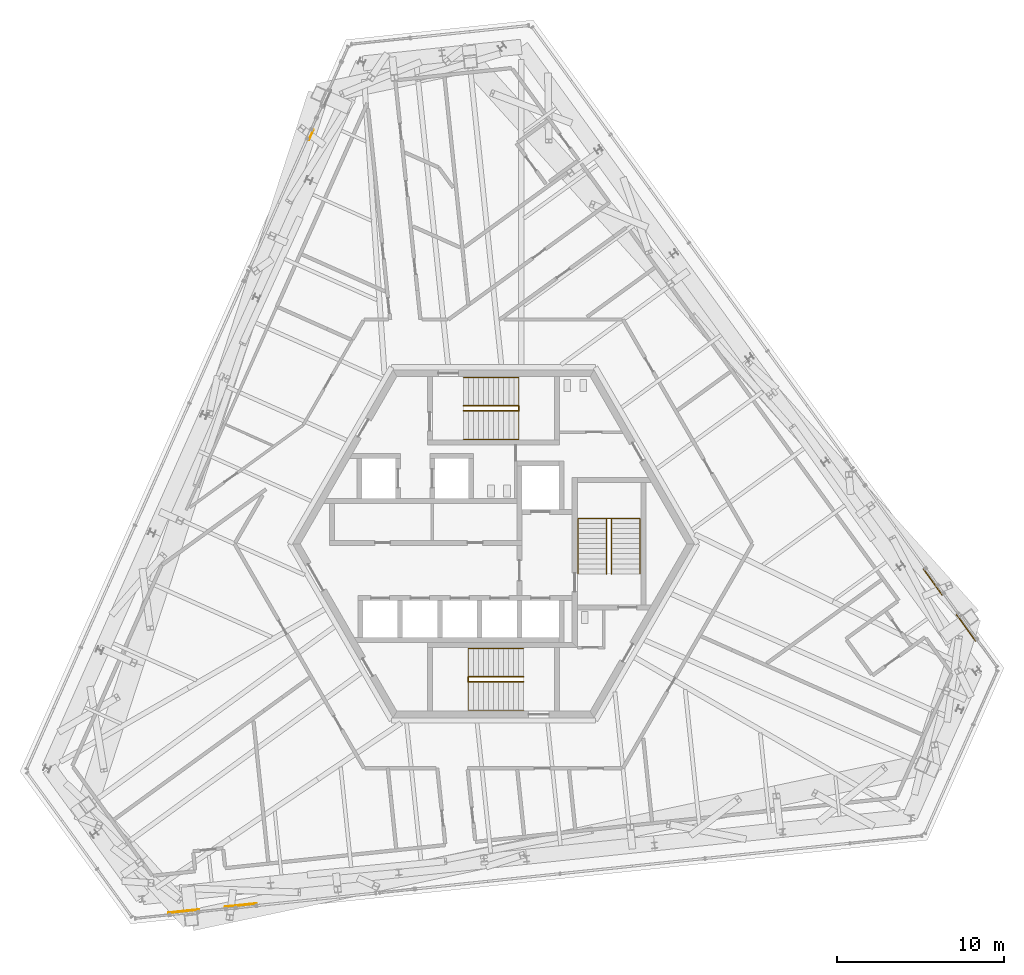
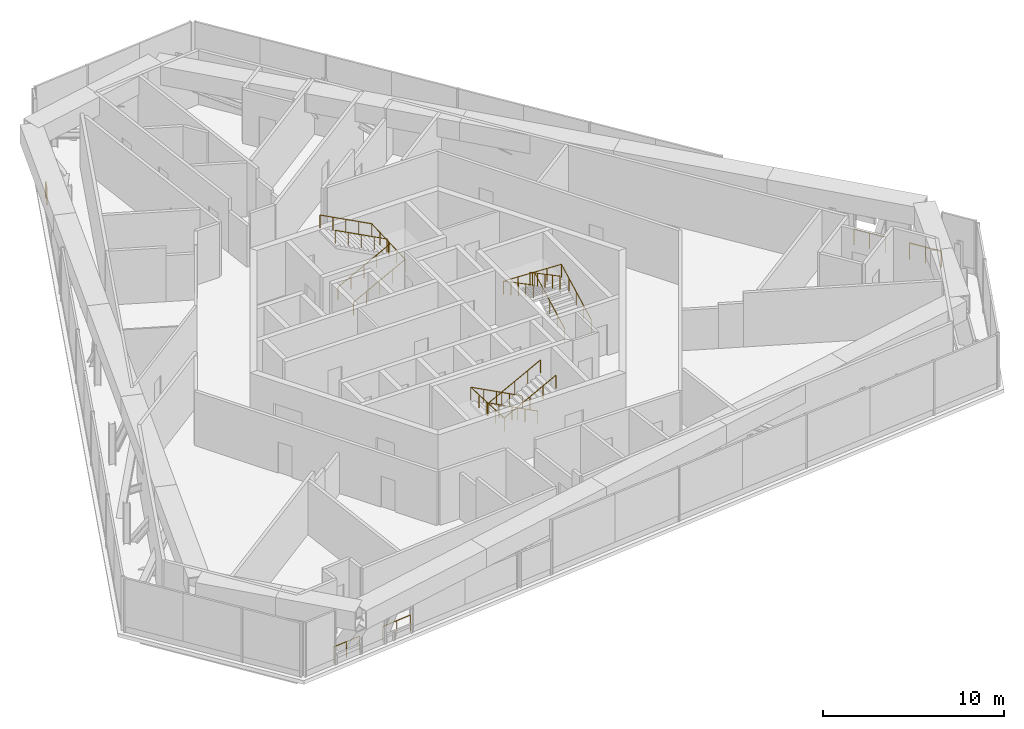
# One storey, part 21 of 23: 11 railings.
"""IFC4 building model written with IfcOpenShell, lengths in metres."""

from ifc_helpers import new_model, si_unit, direction, frame, origin, origin_2d, place, context, subcontext, project, spatial, circle, extrude, source, transform, mapped, material, type_object, element, save


model = new_model("IFC4")

# Units and contexts
model_context = context("Model", 3, precision=1e-05, world=origin(), true_north=direction((0.0, 1.0)))
body_context = subcontext(model_context, "Body", "Model", "MODEL_VIEW")
ifc_project = project(units=[si_unit("LENGTHUNIT", "METRE"), si_unit("AREAUNIT", "SQUARE_METRE"), si_unit("VOLUMEUNIT", "CUBIC_METRE"), si_unit("PLANEANGLEUNIT", "RADIAN"), si_unit("MASSUNIT", "GRAM", prefix="KILO")], contexts=[model_context])

# Site, building, storey
site_placement = place(None, origin())
site = spatial("IfcSite", under=ifc_project, at=site_placement, CompositionType="ELEMENT")
building_placement = place(site_placement, origin())
building = spatial("IfcBuilding", under=site, at=building_placement, Name="Triune Harvest Tower", CompositionType="ELEMENT")
storey_placement = place(building_placement, frame((0.0, 0.0, 255.699951171875)))
storey = spatial("IfcBuildingStorey", under=building, at=storey_placement, Name="L67", CompositionType="ELEMENT", Elevation=255.699951171875)

# Railings
ifc_material_1 = material(Name="Glass", Category="glass")
railing_type_1 = type_object("IfcRailingType", Name="GD-3 facade guard 1100", PredefinedType="GUARDRAIL", material=ifc_material_1)
railing_1_placement = place(storey_placement, frame((28.77587890625, -5.785400390625, 0.0)))
element("IfcRailing", 1, at=railing_1_placement, inside=storey, type_object=railing_type_1, Name="Facade guard B6-F1 L67.1.1", PredefinedType="GUARDRAIL", context=body_context, shape_type="SweptSolid", body=[
    extrude(circle(Radius=0.02392578125, at=origin_2d()), frame((0.0, 0.0, 1.076171875), z_axis=(-0.587838766181, 0.808978111554, 0.0), x_axis=(-0.808978111554, -0.587838766181, 0.0)), (0.0, 0.0, 1.0), 1.918701171875),
    extrude(circle(Radius=0.02099609375, at=origin_2d()), origin(), (0.0, 0.0, 1.0), 1.052001953125),
    extrude(circle(Radius=0.02099609375, at=origin_2d()), frame((-0.56396484375, 0.776123046875, 0.0)), (0.0, 0.0, 1.0), 1.052001953125),
    extrude(circle(Radius=0.02099609375, at=origin_2d()), frame((-1.1279296875, 1.55224609375, 0.0)), (0.0, 0.0, 1.0), 1.052001953125),
])
railing_2_placement = place(storey_placement, frame((26.78515625, -3.04541015625, 0.0)))
element("IfcRailing", 2, at=railing_2_placement, inside=storey, type_object=railing_type_1, Name="Facade guard B6-F1 L67.1.2", PredefinedType="GUARDRAIL", context=body_context, shape_type="SweptSolid", body=[
    extrude(circle(Radius=0.02392578125, at=origin_2d()), frame((0.0, 0.0, 1.076171875), z_axis=(-0.587803736896, 0.809003564202, 0.0), x_axis=(-0.809003564202, -0.587803736896, 0.0)), (0.0, 0.0, 1.0), 1.89404296875),
    extrude(circle(Radius=0.02099609375, at=origin_2d()), origin(), (0.0, 0.0, 1.0), 1.052001953125),
    extrude(circle(Radius=0.02099609375, at=origin_2d()), frame((-0.556640625, 0.76611328125, 0.0)), (0.0, 0.0, 1.0), 1.052001953125),
    extrude(circle(Radius=0.02099609375, at=origin_2d()), frame((-1.11328125, 1.5322265625, 0.0)), (0.0, 0.0, 1.0), 1.052001953125),
])
railing_3_placement = place(storey_placement, frame((-10.755126953125, 24.71923828125, 0.0)))
element("IfcRailing", 3, at=railing_3_placement, inside=storey, type_object=railing_type_1, Name="Facade guard B6-F3 L67.1.2", PredefinedType="GUARDRAIL", context=body_context, shape_type="SweptSolid", body=[
    extrude(circle(Radius=0.02392578125, at=origin_2d()), frame((0.0, 0.0, 1.076171875), z_axis=(-0.406786166967, -0.913523406577, 0.0), x_axis=(0.913523406577, -0.406786166967, 0.0)), (0.0, 0.0, 1.0), 0.664306640625),
    extrude(circle(Radius=0.02099609375, at=origin_2d()), origin(), (0.0, 0.0, 1.0), 1.052001953125),
    extrude(circle(Radius=0.02099609375, at=origin_2d()), frame((-0.270263671875, -0.60693359375, 0.0)), (0.0, 0.0, 1.0), 1.052001953125),
])
railing_4_placement = place(storey_placement, frame((-19.398193359375, -22.02783203125, 0.0)))
element("IfcRailing", 4, at=railing_4_placement, inside=storey, type_object=railing_type_1, Name="Facade guard B6-F5 L67.1.1", PredefinedType="GUARDRAIL", context=body_context, shape_type="SweptSolid", body=[
    extrude(circle(Radius=0.02392578125, at=origin_2d()), frame((0.0, 0.0, 1.076171875), z_axis=(0.994512125428, 0.104621376287, 0.0), x_axis=(-0.104621376287, 0.994512125428, 0.0)), (0.0, 0.0, 1.0), 1.803955078125),
    extrude(circle(Radius=0.02099609375, at=origin_2d()), origin(), (0.0, 0.0, 1.0), 1.052001953125),
    extrude(circle(Radius=0.02099609375, at=origin_2d()), frame((0.89697265625, 0.09423828125, 0.0)), (0.0, 0.0, 1.0), 1.052001953125),
    extrude(circle(Radius=0.02099609375, at=origin_2d()), frame((1.7939453125, 0.188720703125, 0.0)), (0.0, 0.0, 1.0), 1.052001953125),
])
railing_5_placement = place(storey_placement, frame((-16.030029296875, -21.673828125, 0.0)))
element("IfcRailing", 5, at=railing_5_placement, inside=storey, type_object=railing_type_1, Name="Facade guard B6-F5 L67.1.2", PredefinedType="GUARDRAIL", context=body_context, shape_type="SweptSolid", body=[
    extrude(circle(Radius=0.02392578125, at=origin_2d()), frame((0.0, 0.0, 1.076171875), z_axis=(0.994521684725, 0.104530467381, 0.0), x_axis=(-0.104530467381, 0.994521684725, 0.0)), (0.0, 0.0, 1.0), 1.894287109375),
    extrude(circle(Radius=0.02099609375, at=origin_2d()), origin(), (0.0, 0.0, 1.0), 1.052001953125),
    extrude(circle(Radius=0.02099609375, at=origin_2d()), frame((0.94189453125, 0.09912109375, 0.0)), (0.0, 0.0, 1.0), 1.052001953125),
    extrude(circle(Radius=0.02099609375, at=origin_2d()), frame((1.8837890625, 0.197998046875, 0.0)), (0.0, 0.0, 1.0), 1.052001953125),
])
ifc_material_2 = material(Name="Stainless steel AISI 316", Category="steel")
railing_type_2 = type_object("IfcRailingType", Name="Stair handrail", PredefinedType="HANDRAIL", material=ifc_material_2)
shared_shape_1 = source(origin(), body_context, "Body", "SweptSolid", [
    extrude(circle(Radius=0.02392578125, at=origin_2d()), frame((0.0, 0.0, 0.8759765625), z_axis=(0.884384002621, 0.0, 0.466760041037), x_axis=(0.0, 1.0, 0.0)), (0.0, 0.0, 1.0), 3.7314453125),
    extrude(circle(Radius=0.02392578125, at=origin_2d()), frame((3.300048828125, 0.0, 2.61767578125), z_axis=(0.0, 0.999087121181, 0.042719132598), x_axis=(-1.0, 0.0, 0.0)), (0.0, 0.0, 1.0), 3.703369140625),
    extrude(circle(Radius=0.02392578125, at=origin_2d()), frame((3.300048828125, 3.699951171875, 2.77587890625), z_axis=(-0.884384002621, 0.0, 0.466760041037), x_axis=(0.0, -1.0, 0.0)), (0.0, 0.0, 1.0), 3.7314453125),
    extrude(circle(Radius=0.02099609375, at=origin_2d()), origin(), (0.0, 0.0, 1.0), 0.851806640625),
    extrude(circle(Radius=0.02099609375, at=origin_2d()), frame((0.824951171875, 0.0, 0.435546875)), (0.0, 0.0, 1.0), 0.851806640625),
    extrude(circle(Radius=0.02099609375, at=origin_2d()), frame((1.64990234375, 0.0, 0.870849609375)), (0.0, 0.0, 1.0), 0.851806640625),
    extrude(circle(Radius=0.02099609375, at=origin_2d()), frame((2.47509765625, 0.0, 1.30615234375)), (0.0, 0.0, 1.0), 0.851806640625),
    extrude(circle(Radius=0.02099609375, at=origin_2d()), frame((3.300048828125, 0.0, 1.74169921875)), (0.0, 0.0, 1.0), 0.851806640625),
    extrude(circle(Radius=0.02099609375, at=origin_2d()), frame((3.300048828125, 0.925048828125, 1.78125)), (0.0, 0.0, 1.0), 0.851806640625),
    extrude(circle(Radius=0.02099609375, at=origin_2d()), frame((3.300048828125, 1.85009765625, 1.82080078125)), (0.0, 0.0, 1.0), 0.851806640625),
    extrude(circle(Radius=0.02099609375, at=origin_2d()), frame((3.300048828125, 2.77490234375, 1.8603515625)), (0.0, 0.0, 1.0), 0.851806640625),
    extrude(circle(Radius=0.02099609375, at=origin_2d()), frame((3.300048828125, 3.699951171875, 1.89990234375)), (0.0, 0.0, 1.0), 0.851806640625),
    extrude(circle(Radius=0.02099609375, at=origin_2d()), frame((2.47509765625, 3.699951171875, 2.33544921875)), (0.0, 0.0, 1.0), 0.851806640625),
    extrude(circle(Radius=0.02099609375, at=origin_2d()), frame((1.64990234375, 3.699951171875, 2.770751953125)), (0.0, 0.0, 1.0), 0.851806640625),
    extrude(circle(Radius=0.02099609375, at=origin_2d()), frame((0.824951171875, 3.699951171875, 3.2060546875)), (0.0, 0.0, 1.0), 0.851806640625),
    extrude(circle(Radius=0.02099609375, at=origin_2d()), frame((0.0, 3.699951171875, 3.6416015625)), (0.0, 0.0, 1.0), 0.851806640625),
])
railing_6_placement = place(storey_placement, frame((-1.7900390625, 6.239990234375, 0.158447265625)))
element("IfcRailing", 6, at=railing_6_placement, inside=storey, type_object=railing_type_2, Name="Exit stair north wall handrail", PredefinedType="HANDRAIL", context=body_context, shape_type="MappedRepresentation", body=[
    mapped(shared_shape_1, transform((0.0, 0.0, 0.0), scale=1.0)),
])
shared_shape_2 = source(origin(), body_context, "Body", "SweptSolid", [
    extrude(circle(Radius=0.02392578125, at=origin_2d()), frame((0.0, 0.0, 0.8759765625), z_axis=(0.884384002621, 0.0, 0.466760041037), x_axis=(0.0, 1.0, 0.0)), (0.0, 0.0, 1.0), 3.7314453125),
    extrude(circle(Radius=0.02392578125, at=origin_2d()), frame((3.300048828125, 0.0, 2.61767578125), z_axis=(0.0, 0.884574499493, 0.466398922434), x_axis=(-1.0, 0.0, 0.0)), (0.0, 0.0, 1.0), 0.339111328125),
    extrude(circle(Radius=0.02392578125, at=origin_2d()), frame((3.300048828125, 0.300048828125, 2.77587890625), z_axis=(-0.884384002621, 0.0, 0.466760041037), x_axis=(0.0, -1.0, 0.0)), (0.0, 0.0, 1.0), 3.7314453125),
    extrude(circle(Radius=0.02099609375, at=origin_2d()), origin(), (0.0, 0.0, 1.0), 0.851806640625),
    extrude(circle(Radius=0.02099609375, at=origin_2d()), frame((0.824951171875, 0.0, 0.435546875)), (0.0, 0.0, 1.0), 0.851806640625),
    extrude(circle(Radius=0.02099609375, at=origin_2d()), frame((1.64990234375, 0.0, 0.870849609375)), (0.0, 0.0, 1.0), 0.851806640625),
    extrude(circle(Radius=0.02099609375, at=origin_2d()), frame((2.47509765625, 0.0, 1.30615234375)), (0.0, 0.0, 1.0), 0.851806640625),
    extrude(circle(Radius=0.02099609375, at=origin_2d()), frame((3.300048828125, 0.0, 1.74169921875)), (0.0, 0.0, 1.0), 0.851806640625),
    extrude(circle(Radius=0.02099609375, at=origin_2d()), frame((3.300048828125, 0.300048828125, 1.89990234375)), (0.0, 0.0, 1.0), 0.851806640625),
    extrude(circle(Radius=0.02099609375, at=origin_2d()), frame((2.47509765625, 0.300048828125, 2.33544921875)), (0.0, 0.0, 1.0), 0.851806640625),
    extrude(circle(Radius=0.02099609375, at=origin_2d()), frame((1.64990234375, 0.300048828125, 2.770751953125)), (0.0, 0.0, 1.0), 0.851806640625),
    extrude(circle(Radius=0.02099609375, at=origin_2d()), frame((0.824951171875, 0.300048828125, 3.2060546875)), (0.0, 0.0, 1.0), 0.851806640625),
    extrude(circle(Radius=0.02099609375, at=origin_2d()), frame((0.0, 0.300048828125, 3.6416015625)), (0.0, 0.0, 1.0), 0.851806640625),
])
railing_7_placement = place(storey_placement, frame((-1.7900390625, 7.93994140625, 0.158447265625)))
element("IfcRailing", 7, at=railing_7_placement, inside=storey, type_object=railing_type_2, Name="Exit stair north centre handrail", PredefinedType="HANDRAIL", context=body_context, shape_type="MappedRepresentation", body=[
    mapped(shared_shape_2, transform((0.0, 0.0, 0.0), scale=1.0)),
])
shared_shape_3 = source(origin(), body_context, "Body", "SweptSolid", [
    extrude(circle(Radius=0.02392578125, at=origin_2d()), frame((0.0, 0.0, 0.8759765625), z_axis=(-0.884384002621, 0.0, 0.466760041037), x_axis=(0.0, -1.0, 0.0)), (0.0, 0.0, 1.0), 3.7314453125),
    extrude(circle(Radius=0.02392578125, at=origin_2d()), frame((-3.300048828125, 0.0, 2.61767578125), z_axis=(0.0, -0.999087121181, 0.042719132598), x_axis=(1.0, 0.0, 0.0)), (0.0, 0.0, 1.0), 3.703369140625),
    extrude(circle(Radius=0.02392578125, at=origin_2d()), frame((-3.300048828125, -3.699951171875, 2.77587890625), z_axis=(0.884384002621, 0.0, 0.466760041037), x_axis=(0.0, 1.0, 0.0)), (0.0, 0.0, 1.0), 3.7314453125),
    extrude(circle(Radius=0.02099609375, at=origin_2d()), origin(), (0.0, 0.0, 1.0), 0.851806640625),
    extrude(circle(Radius=0.02099609375, at=origin_2d()), frame((-0.824951171875, 0.0, 0.435546875)), (0.0, 0.0, 1.0), 0.851806640625),
    extrude(circle(Radius=0.02099609375, at=origin_2d()), frame((-1.64990234375, 0.0, 0.870849609375)), (0.0, 0.0, 1.0), 0.851806640625),
    extrude(circle(Radius=0.02099609375, at=origin_2d()), frame((-2.47509765625, 0.0, 1.30615234375)), (0.0, 0.0, 1.0), 0.851806640625),
    extrude(circle(Radius=0.02099609375, at=origin_2d()), frame((-3.300048828125, 0.0, 1.74169921875)), (0.0, 0.0, 1.0), 0.851806640625),
    extrude(circle(Radius=0.02099609375, at=origin_2d()), frame((-3.300048828125, -0.925048828125, 1.78125)), (0.0, 0.0, 1.0), 0.851806640625),
    extrude(circle(Radius=0.02099609375, at=origin_2d()), frame((-3.300048828125, -1.85009765625, 1.82080078125)), (0.0, 0.0, 1.0), 0.851806640625),
    extrude(circle(Radius=0.02099609375, at=origin_2d()), frame((-3.300048828125, -2.77490234375, 1.8603515625)), (0.0, 0.0, 1.0), 0.851806640625),
    extrude(circle(Radius=0.02099609375, at=origin_2d()), frame((-3.300048828125, -3.699951171875, 1.89990234375)), (0.0, 0.0, 1.0), 0.851806640625),
    extrude(circle(Radius=0.02099609375, at=origin_2d()), frame((-2.47509765625, -3.699951171875, 2.33544921875)), (0.0, 0.0, 1.0), 0.851806640625),
    extrude(circle(Radius=0.02099609375, at=origin_2d()), frame((-1.64990234375, -3.699951171875, 2.770751953125)), (0.0, 0.0, 1.0), 0.851806640625),
    extrude(circle(Radius=0.02099609375, at=origin_2d()), frame((-0.824951171875, -3.699951171875, 3.2060546875)), (0.0, 0.0, 1.0), 0.851806640625),
    extrude(circle(Radius=0.02099609375, at=origin_2d()), frame((0.0, -3.699951171875, 3.6416015625)), (0.0, 0.0, 1.0), 0.851806640625),
])
railing_8_placement = place(storey_placement, frame((1.7900390625, -6.239990234375, 0.158447265625)))
element("IfcRailing", 8, at=railing_8_placement, inside=storey, type_object=railing_type_2, Name="Exit stair south wall handrail", PredefinedType="HANDRAIL", context=body_context, shape_type="MappedRepresentation", body=[
    mapped(shared_shape_3, transform((0.0, 0.0, 0.0), scale=1.0)),
])
shared_shape_4 = source(origin(), body_context, "Body", "SweptSolid", [
    extrude(circle(Radius=0.02392578125, at=origin_2d()), frame((0.0, 0.0, 0.8759765625), z_axis=(-0.884384002621, 0.0, 0.466760041037), x_axis=(0.0, -1.0, 0.0)), (0.0, 0.0, 1.0), 3.7314453125),
    extrude(circle(Radius=0.02392578125, at=origin_2d()), frame((-3.300048828125, 0.0, 2.61767578125), z_axis=(0.0, -0.884574499493, 0.466398922434), x_axis=(1.0, 0.0, 0.0)), (0.0, 0.0, 1.0), 0.339111328125),
    extrude(circle(Radius=0.02392578125, at=origin_2d()), frame((-3.300048828125, -0.300048828125, 2.77587890625), z_axis=(0.884384002621, 0.0, 0.466760041037), x_axis=(0.0, 1.0, 0.0)), (0.0, 0.0, 1.0), 3.7314453125),
    extrude(circle(Radius=0.02099609375, at=origin_2d()), origin(), (0.0, 0.0, 1.0), 0.851806640625),
    extrude(circle(Radius=0.02099609375, at=origin_2d()), frame((-0.824951171875, 0.0, 0.435546875)), (0.0, 0.0, 1.0), 0.851806640625),
    extrude(circle(Radius=0.02099609375, at=origin_2d()), frame((-1.64990234375, 0.0, 0.870849609375)), (0.0, 0.0, 1.0), 0.851806640625),
    extrude(circle(Radius=0.02099609375, at=origin_2d()), frame((-2.47509765625, 0.0, 1.30615234375)), (0.0, 0.0, 1.0), 0.851806640625),
    extrude(circle(Radius=0.02099609375, at=origin_2d()), frame((-3.300048828125, 0.0, 1.74169921875)), (0.0, 0.0, 1.0), 0.851806640625),
    extrude(circle(Radius=0.02099609375, at=origin_2d()), frame((-3.300048828125, -0.300048828125, 1.89990234375)), (0.0, 0.0, 1.0), 0.851806640625),
    extrude(circle(Radius=0.02099609375, at=origin_2d()), frame((-2.47509765625, -0.300048828125, 2.33544921875)), (0.0, 0.0, 1.0), 0.851806640625),
    extrude(circle(Radius=0.02099609375, at=origin_2d()), frame((-1.64990234375, -0.300048828125, 2.770751953125)), (0.0, 0.0, 1.0), 0.851806640625),
    extrude(circle(Radius=0.02099609375, at=origin_2d()), frame((-0.824951171875, -0.300048828125, 3.2060546875)), (0.0, 0.0, 1.0), 0.851806640625),
    extrude(circle(Radius=0.02099609375, at=origin_2d()), frame((0.0, -0.300048828125, 3.6416015625)), (0.0, 0.0, 1.0), 0.851806640625),
])
railing_9_placement = place(storey_placement, frame((1.7900390625, -7.93994140625, 0.158447265625)))
element("IfcRailing", 9, at=railing_9_placement, inside=storey, type_object=railing_type_2, Name="Exit stair south centre handrail", PredefinedType="HANDRAIL", context=body_context, shape_type="MappedRepresentation", body=[
    mapped(shared_shape_4, transform((0.0, 0.0, 0.0), scale=1.0)),
])
shared_shape_5 = source(origin(), body_context, "Body", "SweptSolid", [
    extrude(circle(Radius=0.02392578125, at=origin_2d()), frame((0.0, 0.0, 0.8759765625), z_axis=(0.0, 0.884384002621, 0.466760041037), x_axis=(-1.0, 0.0, 0.0)), (0.0, 0.0, 1.0), 3.7314453125),
    extrude(circle(Radius=0.02392578125, at=origin_2d()), frame((0.0, 3.300048828125, 2.61767578125), z_axis=(-0.999087121181, 0.0, 0.042719132598), x_axis=(0.0, -1.0, 0.0)), (0.0, 0.0, 1.0), 3.703369140625),
    extrude(circle(Radius=0.02392578125, at=origin_2d()), frame((-3.699951171875, 3.300048828125, 2.77587890625), z_axis=(0.0, -0.884384002621, 0.466760041037), x_axis=(1.0, 0.0, 0.0)), (0.0, 0.0, 1.0), 3.7314453125),
    extrude(circle(Radius=0.02099609375, at=origin_2d()), origin(), (0.0, 0.0, 1.0), 0.851806640625),
    extrude(circle(Radius=0.02099609375, at=origin_2d()), frame((0.0, 0.824951171875, 0.435546875)), (0.0, 0.0, 1.0), 0.851806640625),
    extrude(circle(Radius=0.02099609375, at=origin_2d()), frame((0.0, 1.64990234375, 0.870849609375)), (0.0, 0.0, 1.0), 0.851806640625),
    extrude(circle(Radius=0.02099609375, at=origin_2d()), frame((0.0, 2.47509765625, 1.30615234375)), (0.0, 0.0, 1.0), 0.851806640625),
    extrude(circle(Radius=0.02099609375, at=origin_2d()), frame((0.0, 3.300048828125, 1.74169921875)), (0.0, 0.0, 1.0), 0.851806640625),
    extrude(circle(Radius=0.02099609375, at=origin_2d()), frame((-0.925048828125, 3.300048828125, 1.78125)), (0.0, 0.0, 1.0), 0.851806640625),
    extrude(circle(Radius=0.02099609375, at=origin_2d()), frame((-1.85009765625, 3.300048828125, 1.82080078125)), (0.0, 0.0, 1.0), 0.851806640625),
    extrude(circle(Radius=0.02099609375, at=origin_2d()), frame((-2.77490234375, 3.300048828125, 1.8603515625)), (0.0, 0.0, 1.0), 0.851806640625),
    extrude(circle(Radius=0.02099609375, at=origin_2d()), frame((-3.699951171875, 3.300048828125, 1.89990234375)), (0.0, 0.0, 1.0), 0.851806640625),
    extrude(circle(Radius=0.02099609375, at=origin_2d()), frame((-3.699951171875, 2.47509765625, 2.33544921875)), (0.0, 0.0, 1.0), 0.851806640625),
    extrude(circle(Radius=0.02099609375, at=origin_2d()), frame((-3.699951171875, 1.64990234375, 2.770751953125)), (0.0, 0.0, 1.0), 0.851806640625),
    extrude(circle(Radius=0.02099609375, at=origin_2d()), frame((-3.699951171875, 0.824951171875, 3.2060546875)), (0.0, 0.0, 1.0), 0.851806640625),
    extrude(circle(Radius=0.02099609375, at=origin_2d()), frame((-3.699951171875, 0.0, 3.6416015625)), (0.0, 0.0, 1.0), 0.851806640625),
])
railing_10_placement = place(storey_placement, frame((8.75, -1.7900390625, 0.158447265625)))
element("IfcRailing", 10, at=railing_10_placement, inside=storey, type_object=railing_type_2, Name="Exit stair east wall handrail", PredefinedType="HANDRAIL", context=body_context, shape_type="MappedRepresentation", body=[
    mapped(shared_shape_5, transform((0.0, 0.0, 0.0), scale=1.0)),
])
shared_shape_6 = source(origin(), body_context, "Body", "SweptSolid", [
    extrude(circle(Radius=0.02392578125, at=origin_2d()), frame((0.0, 0.0, 0.8759765625), z_axis=(0.0, 0.884384002621, 0.466760041037), x_axis=(-1.0, 0.0, 0.0)), (0.0, 0.0, 1.0), 3.7314453125),
    extrude(circle(Radius=0.02392578125, at=origin_2d()), frame((0.0, 3.300048828125, 2.61767578125), z_axis=(-0.884574499493, 0.0, 0.466398922434), x_axis=(0.0, -1.0, 0.0)), (0.0, 0.0, 1.0), 0.339111328125),
    extrude(circle(Radius=0.02392578125, at=origin_2d()), frame((-0.300048828125, 3.300048828125, 2.77587890625), z_axis=(0.0, -0.884384002621, 0.466760041037), x_axis=(1.0, 0.0, 0.0)), (0.0, 0.0, 1.0), 3.7314453125),
    extrude(circle(Radius=0.02099609375, at=origin_2d()), origin(), (0.0, 0.0, 1.0), 0.851806640625),
    extrude(circle(Radius=0.02099609375, at=origin_2d()), frame((0.0, 0.824951171875, 0.435546875)), (0.0, 0.0, 1.0), 0.851806640625),
    extrude(circle(Radius=0.02099609375, at=origin_2d()), frame((0.0, 1.64990234375, 0.870849609375)), (0.0, 0.0, 1.0), 0.851806640625),
    extrude(circle(Radius=0.02099609375, at=origin_2d()), frame((0.0, 2.47509765625, 1.30615234375)), (0.0, 0.0, 1.0), 0.851806640625),
    extrude(circle(Radius=0.02099609375, at=origin_2d()), frame((0.0, 3.300048828125, 1.74169921875)), (0.0, 0.0, 1.0), 0.851806640625),
    extrude(circle(Radius=0.02099609375, at=origin_2d()), frame((-0.300048828125, 3.300048828125, 1.89990234375)), (0.0, 0.0, 1.0), 0.851806640625),
    extrude(circle(Radius=0.02099609375, at=origin_2d()), frame((-0.300048828125, 2.47509765625, 2.33544921875)), (0.0, 0.0, 1.0), 0.851806640625),
    extrude(circle(Radius=0.02099609375, at=origin_2d()), frame((-0.300048828125, 1.64990234375, 2.770751953125)), (0.0, 0.0, 1.0), 0.851806640625),
    extrude(circle(Radius=0.02099609375, at=origin_2d()), frame((-0.300048828125, 0.824951171875, 3.2060546875)), (0.0, 0.0, 1.0), 0.851806640625),
    extrude(circle(Radius=0.02099609375, at=origin_2d()), frame((-0.300048828125, 0.0, 3.6416015625)), (0.0, 0.0, 1.0), 0.851806640625),
])
railing_11_placement = place(storey_placement, frame((7.050048828125, -1.7900390625, 0.158447265625)))
element("IfcRailing", 11, at=railing_11_placement, inside=storey, type_object=railing_type_2, Name="Exit stair east centre handrail", PredefinedType="HANDRAIL", context=body_context, shape_type="MappedRepresentation", body=[
    mapped(shared_shape_6, transform((0.0, 0.0, 0.0), scale=1.0)),
])

save(model, "model.ifc")
